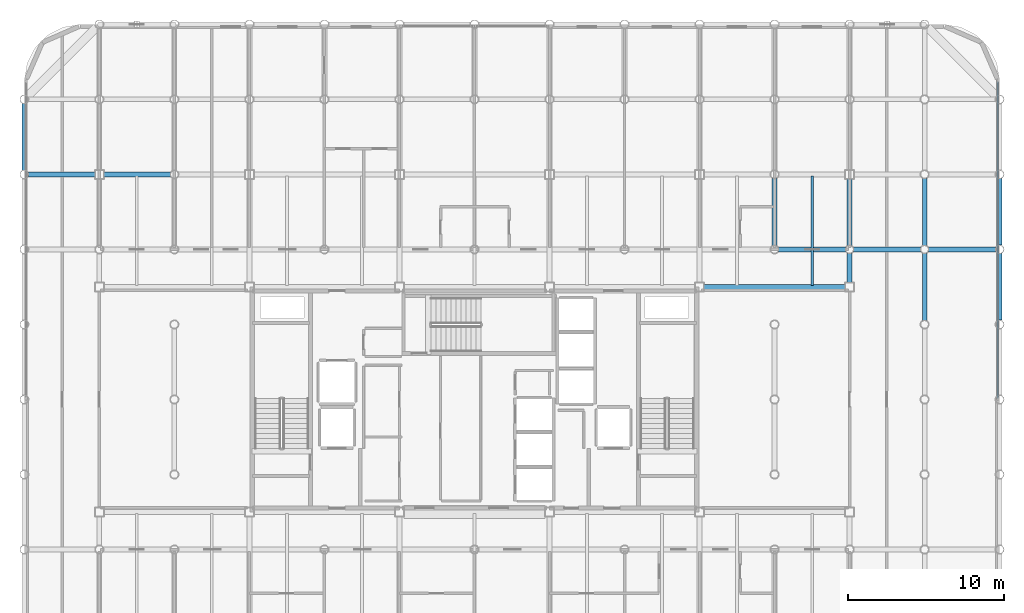
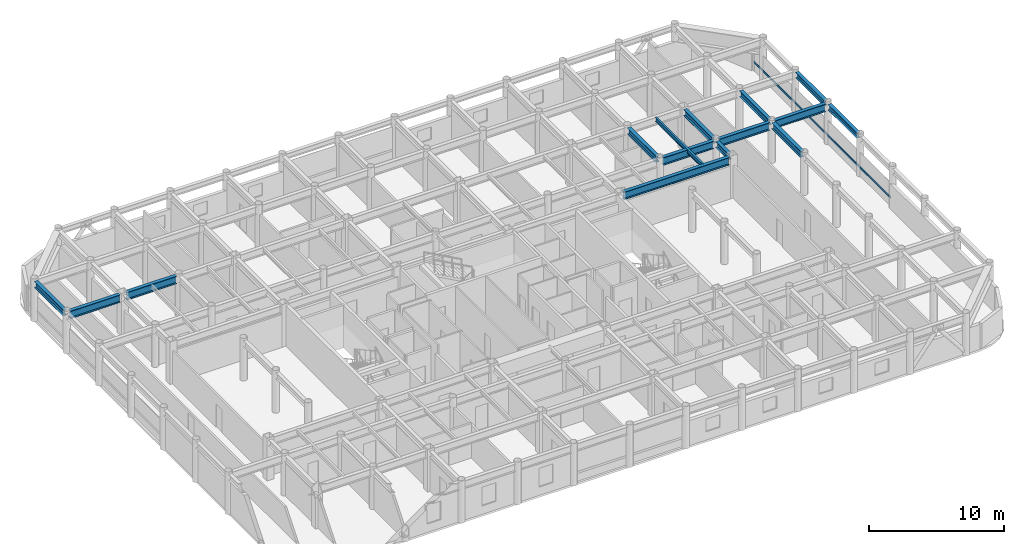
# One storey, part 11 of 23: 15 beams, 1 member, 1 element without a shape of its own.
"""IFC4 building model written with IfcOpenShell, lengths in metres."""

from ifc_helpers import new_model, si_unit, direction, frame, origin, origin_2d, place, context, subcontext, project, spatial, hollow_rectangle, i_section, extrude, material, layer, layer_set, material_profile, profile_set, type_object, element, aggregate, save


model = new_model("IFC4")

# Units and contexts
model_context = context("Model", 3, precision=1e-05, world=origin(), true_north=direction((0.0, 1.0)))
body_context = subcontext(model_context, "Body", "Model", "MODEL_VIEW")
ifc_project = project(units=[si_unit("LENGTHUNIT", "METRE"), si_unit("AREAUNIT", "SQUARE_METRE"), si_unit("VOLUMEUNIT", "CUBIC_METRE"), si_unit("PLANEANGLEUNIT", "RADIAN"), si_unit("MASSUNIT", "GRAM", prefix="KILO")], contexts=[model_context])

# Site, building, storey
site_placement = place(None, origin())
site = spatial("IfcSite", under=ifc_project, at=site_placement, CompositionType="ELEMENT")
building_placement = place(site_placement, origin())
building = spatial("IfcBuilding", under=site, at=building_placement, Name="Kallvorn Hotel Tower", CompositionType="ELEMENT")
storey_placement = place(building_placement, frame((0.0, 0.0, 237.699951171875)))
storey = spatial("IfcBuildingStorey", under=building, at=storey_placement, Name="L59", CompositionType="ELEMENT", Elevation=237.699951171875)

# Beams
ifc_material_1 = material(Name="Structural steel S355JR", Category="steel")
ifc_material_profile_1 = material_profile(ifc_material_1, i_section(OverallWidth=0.300048828125, OverallDepth=0.5, WebThickness=0.014404296875, FlangeThickness=0.028076171875, at=origin_2d()), Name="HE 500 B")
ifc_profile_set_1 = profile_set([ifc_material_profile_1], Name="Structural steel S355JR")
beam_type_1 = type_object("IfcBeamType", Name="BM_HE500B", PredefinedType="SPANDREL", material=ifc_profile_set_1)
beam_1_placement = place(storey_placement, frame((33.60009765625, 5.069580078125, 3.420166015625), z_axis=(0.0, 1.0, 0.0), x_axis=(-1.0, 0.0, 0.0)))
element("IfcBeam", 1, at=beam_1_placement, inside=storey, type_object=beam_type_1, Name="L60 Perimeter Spandrel 186", PredefinedType="SPANDREL", context=body_context, shape_type="SweptSolid", body=[
    extrude(i_section(OverallWidth=0.300048828125, OverallDepth=0.5, WebThickness=0.014404296875, FlangeThickness=0.028076171875, at=origin_2d()), origin(), (0.0, 0.0, 1.0), 4.260986328125),
])
beam_2_placement = place(storey_placement, frame((33.60009765625, 9.869384765625, 3.420166015625), z_axis=(0.0, 1.0, 0.0), x_axis=(-1.0, 0.0, 0.0)))
element("IfcBeam", 2, at=beam_2_placement, inside=storey, type_object=beam_type_1, Name="L60 Perimeter Spandrel 187", PredefinedType="SPANDREL", context=body_context, shape_type="SweptSolid", body=[
    extrude(i_section(OverallWidth=0.300048828125, OverallDepth=0.5, WebThickness=0.014404296875, FlangeThickness=0.028076171875, at=origin_2d()), origin(), (0.0, 0.0, 1.0), 4.26123046875),
])
ifc_material_2 = material(Name="Structural steel S355JR", Category="steel")
ifc_material_profile_2 = material_profile(ifc_material_2, i_section(OverallWidth=0.300048828125, OverallDepth=0.550048828125, WebThickness=0.014892578125, FlangeThickness=0.029052734375, at=origin_2d()), Name="HE 550 B")
ifc_profile_set_2 = profile_set([ifc_material_profile_2], Name="Structural steel S355JR")
beam_type_2 = type_object("IfcBeamType", Name="BM_HE550B", PredefinedType="SPANDREL", material=ifc_profile_set_2)
for number, where, z_axis, x_axis, name in (
    (3, (-28.800048828125, 14.654541015625, 3.39501953125), (0.0, 1.0, 0.0), (-1.0, 0.0, 0.0), "L60 Primary Y-Girder 80"),
    (4, (19.199951171875, 9.8544921875, 3.39501953125), (0.0, 1.0, 0.0), (-1.0, 0.0, 0.0), "L60 Primary Y-Girder 132"),
):
    element("IfcBeam", number, at=place(storey_placement, frame(where, z_axis=z_axis, x_axis=x_axis)), inside=storey, type_object=beam_type_2, Name=name, PredefinedType="SPANDREL", context=body_context, shape_type="SweptSolid", body=[
        extrude(i_section(OverallWidth=0.300048828125, OverallDepth=0.550048828125, WebThickness=0.014892578125, FlangeThickness=0.029052734375, at=origin_2d()), origin(), (0.0, 0.0, 1.0), 4.291015625),
    ])
beam_3_placement = place(storey_placement, frame((24.0, 7.47509765625, 3.39501953125), z_axis=(0.0, 1.0, 0.0), x_axis=(-1.0, 0.0, 0.0)))
element("IfcBeam", 5, at=beam_3_placement, inside=storey, type_object=beam_type_2, Name="L60 Primary Y-Girder 138", PredefinedType="SPANDREL", context=body_context, shape_type="SweptSolid", body=[
    extrude(i_section(OverallWidth=0.300048828125, OverallDepth=0.550048828125, WebThickness=0.014892578125, FlangeThickness=0.029052734375, at=origin_2d()), origin(), (0.0, 0.0, 1.0), 1.870361328125),
])
beam_4_placement = place(storey_placement, frame((24.0, 9.8544921875, 3.39501953125), z_axis=(0.0, 1.0, 0.0), x_axis=(-1.0, 0.0, 0.0)))
element("IfcBeam", 6, at=beam_4_placement, inside=storey, type_object=beam_type_2, Name="L60 Primary Y-Girder 139", PredefinedType="SPANDREL", context=body_context, shape_type="SweptSolid", body=[
    extrude(i_section(OverallWidth=0.300048828125, OverallDepth=0.550048828125, WebThickness=0.014892578125, FlangeThickness=0.029052734375, at=origin_2d()), origin(), (0.0, 0.0, 1.0), 4.2705078125),
])
for number, where, z_axis, x_axis, name in (
    (7, (28.800048828125, 5.054443359375, 3.39501953125), (0.0, 1.0, 0.0), (-1.0, 0.0, 0.0), "L60 Primary Y-Girder 147"),
    (8, (28.800048828125, 9.8544921875, 3.39501953125), (0.0, 1.0, 0.0), (-1.0, 0.0, 0.0), "L60 Primary Y-Girder 148"),
):
    element("IfcBeam", number, at=place(storey_placement, frame(where, z_axis=z_axis, x_axis=x_axis)), inside=storey, type_object=beam_type_2, Name=name, PredefinedType="SPANDREL", context=body_context, shape_type="SweptSolid", body=[
        extrude(i_section(OverallWidth=0.300048828125, OverallDepth=0.550048828125, WebThickness=0.014892578125, FlangeThickness=0.029052734375, at=origin_2d()), origin(), (0.0, 0.0, 1.0), 4.291015625),
    ])
ifc_material_3 = material(Name="Structural steel S355JR", Category="steel")
ifc_material_profile_3 = material_profile(ifc_material_3, i_section(OverallWidth=0.300048828125, OverallDepth=0.699951171875, WebThickness=0.01708984375, FlangeThickness=0.031982421875, at=origin_2d()), Name="HE 700 B")
ifc_profile_set_3 = profile_set([ifc_material_profile_3], Name="Structural steel S355JR")
beam_type_3 = type_object("IfcBeamType", Name="BM_HE700B", PredefinedType="BEAM", material=ifc_profile_set_3)
beam_5_placement = place(storey_placement, frame((14.675048828125, 7.199951171875, 3.320068359375), z_axis=(1.0, 0.0, 0.0), x_axis=(0.0, 1.0, 0.0)))
element("IfcBeam", 9, at=beam_5_placement, inside=storey, type_object=beam_type_3, Name="L60 Primary X-Girder 40", PredefinedType="BEAM", context=body_context, shape_type="SweptSolid", body=[
    extrude(i_section(OverallWidth=0.300048828125, OverallDepth=0.699951171875, WebThickness=0.01708984375, FlangeThickness=0.031982421875, at=origin_2d()), origin(), (0.0, 0.0, 1.0), 9.050048828125),
])
for number, where, z_axis, x_axis, name in (
    (10, (19.45458984375, 9.60009765625, 3.320068359375), (1.0, 0.0, 0.0), (0.0, 1.0, 0.0), "L60 Primary X-Girder 47"),
    (11, (24.25439453125, 9.60009765625, 3.320068359375), (1.0, 0.0, 0.0), (0.0, 1.0, 0.0), "L60 Primary X-Girder 48"),
    (12, (29.054443359375, 9.60009765625, 3.320068359375), (1.0, 0.0, 0.0), (0.0, 1.0, 0.0), "L60 Primary X-Girder 49"),
):
    element("IfcBeam", number, at=place(storey_placement, frame(where, z_axis=z_axis, x_axis=x_axis)), inside=storey, type_object=beam_type_3, Name=name, PredefinedType="BEAM", context=body_context, shape_type="SweptSolid", body=[
        extrude(i_section(OverallWidth=0.300048828125, OverallDepth=0.699951171875, WebThickness=0.01708984375, FlangeThickness=0.031982421875, at=origin_2d()), origin(), (0.0, 0.0, 1.0), 4.291015625),
    ])
for number, where, z_axis, x_axis, name in (
    (13, (-28.54541015625, 14.39990234375, 3.320068359375), (1.0, 0.0, 0.0), (0.0, 1.0, 0.0), "L60 Primary X-Girder 50"),
    (14, (-23.72509765625, 14.39990234375, 3.320068359375), (1.0, 0.0, 0.0), (0.0, 1.0, 0.0), "L60 Primary X-Girder 51"),
):
    element("IfcBeam", number, at=place(storey_placement, frame(where, z_axis=z_axis, x_axis=x_axis)), inside=storey, type_object=beam_type_3, Name=name, PredefinedType="BEAM", context=body_context, shape_type="SweptSolid", body=[
        extrude(i_section(OverallWidth=0.300048828125, OverallDepth=0.699951171875, WebThickness=0.01708984375, FlangeThickness=0.031982421875, at=origin_2d()), origin(), (0.0, 0.0, 1.0), 4.2705078125),
    ])
ifc_material_4 = material(Name="Structural steel S355JR", Category="steel")
ifc_material_profile_4 = material_profile(ifc_material_4, i_section(OverallWidth=0.169921875, OverallDepth=0.360107421875, WebThickness=0.008056640625, FlangeThickness=0.0126953125, at=origin_2d()), Name="IPE 360")
ifc_profile_set_4 = profile_set([ifc_material_profile_4], Name="Structural steel S355JR")
beam_type_4 = type_object("IfcBeamType", Name="BM_IPE360", PredefinedType="JOIST", material=ifc_profile_set_4)
beam_6_placement = place(storey_placement, frame((21.60009765625, 7.300048828125, 3.489990234375), z_axis=(0.0, 1.0, 0.0), x_axis=(-1.0, 0.0, 0.0)))
element("IfcBeam", 15, at=beam_6_placement, inside=storey, type_object=beam_type_4, Name="L60 Secondary Composite Joist 209", PredefinedType="JOIST", context=body_context, shape_type="SweptSolid", body=[
    extrude(i_section(OverallWidth=0.169921875, OverallDepth=0.360107421875, WebThickness=0.008056640625, FlangeThickness=0.0126953125, at=origin_2d()), origin(), (0.0, 0.0, 1.0), 7.0),
])

# Curtain wall, member
ifc_material_5 = material(Name="Thermally broken black-anodised aluminium AA 6063-T6", Category="aluminium")
ifc_layer = layer(ifc_material_5, 0.22998046875)
ifc_layer_set = layer_set([ifc_layer], Name="CW_SYS_5_HOTEL_HIGH")
curtain_wall_type = type_object("IfcCurtainWallType", Name="CW_SYS_5_HOTEL_HIGH", PredefinedType="USERDEFINED", material=ifc_layer_set)
curtain_wall_placement = place(storey_placement, origin())
curtain_wall = element("IfcCurtainWall", 16, at=curtain_wall_placement, inside=storey, type_object=curtain_wall_type, Name="L59 Dark-Glass Curtain Wall CW-L59-EN", ObjectType="UNITISED CURTAIN WALL", PredefinedType="USERDEFINED")
ifc_material_6 = material(Name="Thermally broken black-anodised aluminium AA 6063-T6", Category="aluminium")
ifc_material_profile_5 = material_profile(ifc_material_6, hollow_rectangle(XDim=0.070068359375, YDim=0.179931640625, WallThickness=0.00390625, at=origin_2d()), Name="TRN 180x70")
ifc_profile_set_5 = profile_set([ifc_material_profile_5], Name="Thermally broken black-anodised aluminium AA 6063-T6")
member_type = type_object("IfcMemberType", Name="CW_TRANSOM_180x70", PredefinedType="USERDEFINED", material=ifc_profile_set_5)
member_placement = place(storey_placement, frame((33.47998046875, 0.06005859375, 0.85009765625), z_axis=(0.0, 1.0, 0.0), x_axis=(-1.0, 0.0, 0.0)))
member = element("IfcMember", 17, at=member_placement, type_object=member_type, Name="CW-L59-EN Transom 00M", ObjectType="TRANSOM", PredefinedType="USERDEFINED", context=body_context, shape_type="SweptSolid", body=[
    extrude(hollow_rectangle(XDim=0.070068359375, YDim=0.179931640625, WallThickness=0.00390625, at=origin_2d()), origin(), (0.0, 0.0, 1.0), 20.300048828125),
])
aggregate(curtain_wall, [member])

save(model, "model.ifc")
